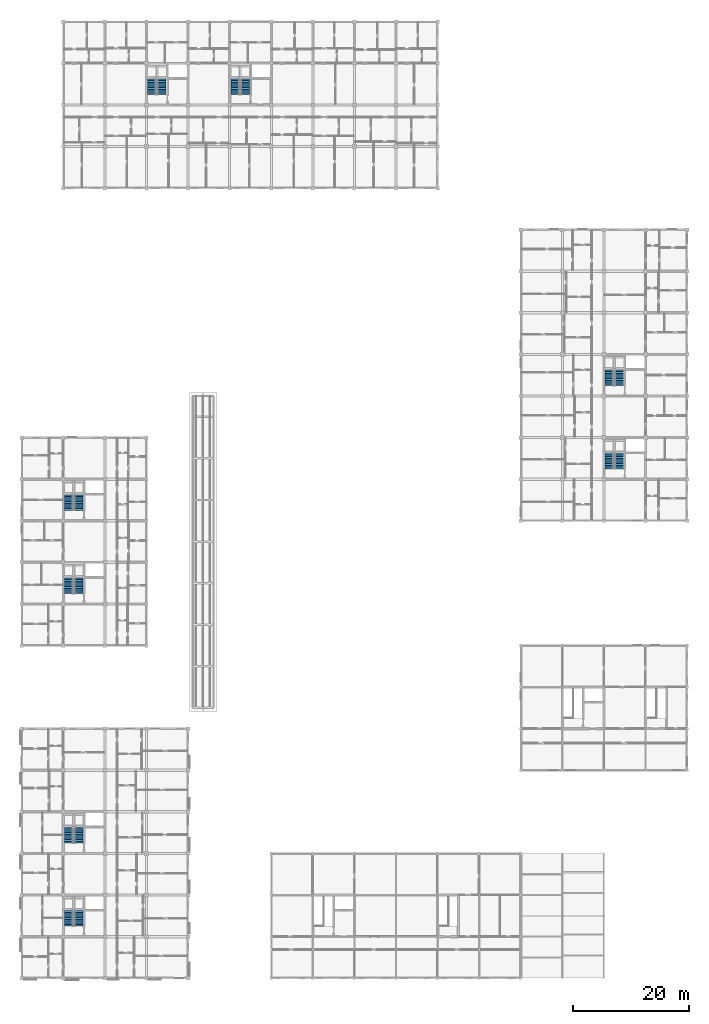
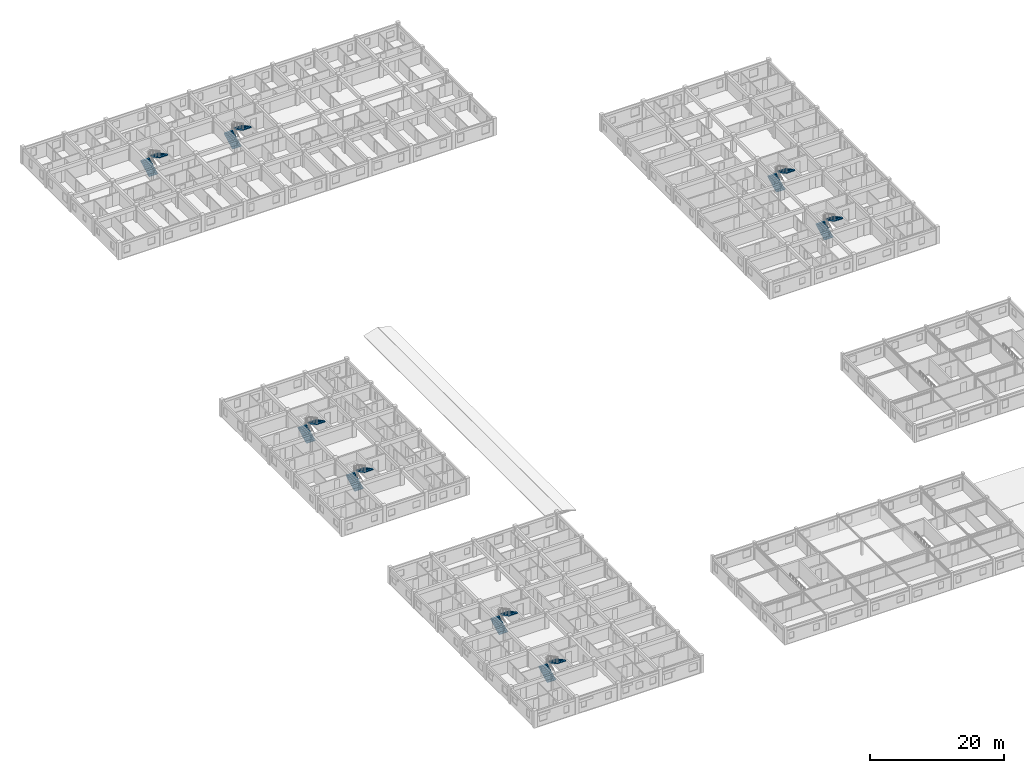
# One storey, part 42 of 50: 16 stair flights, 8 elements without a shape of their own.
"""IFC4 building model written with IfcOpenShell, lengths in metres."""

import ifcopenshell
import ifcopenshell.guid

model = None  # the IFC model being written
_history = None  # IfcOwnerHistory: only IFC2X3 demands one
_inside = {}  # id of a spatial element -> (the spatial element, [elements in it])
_under = {}  # id of a project, library or spatial element -> (it, [spatial elements below it])
_declared = {}  # id of a project -> (the project, [libraries it declares])
_typed = {}  # id of a type object -> (the type object, [elements of that type])
_made_of = {}  # id of a material, layer set ... -> (it, [elements and type objects made of it])


def new_model(schema):
    """Start an empty IFC model of exactly this schema.

    Asked for "IFC4X3", IfcOpenShell would pick the latest addendum, in which some entities
    have other attributes; the version numbers below select the first issue.
    IFC2X3 requires an IfcOwnerHistory on every rooted entity: one is made here for all.
    """
    global model, _history
    if schema == "IFC4X3":
        model = ifcopenshell.file(schema_version=(4, 3, 0, 0))
    else:
        model = ifcopenshell.file(schema=schema)
    _inside.clear()
    _under.clear()
    _declared.clear()
    _typed.clear()
    _made_of.clear()
    _history = None
    if model.schema == "IFC2X3":
        org = make("IfcOrganization", Name="unknown")
        user = make(
            "IfcPersonAndOrganization",
            ThePerson=make("IfcPerson", FamilyName="unknown"),
            TheOrganization=org,
        )
        app = make(
            "IfcApplication",
            ApplicationDeveloper=org,
            Version="unknown",
            ApplicationFullName="unknown",
            ApplicationIdentifier="unknown",
        )
        _history = make(
            "IfcOwnerHistory",
            OwningUser=user,
            OwningApplication=app,
            ChangeAction="ADDED",
            CreationDate=0,
        )
    return model


def make(cls, **values):
    """One entity of the class cls with the attributes given. An attribute that is None is left unset."""
    return model.create_entity(
        cls, **{name: value for name, value in values.items() if value is not None}
    )


def rooted(cls, **values):
    """An entity with a GlobalId (a new one), such as an element, a storey or a relation."""
    return make(cls, GlobalId=ifcopenshell.guid.new(), OwnerHistory=_history, **values)


def si_unit(unit_type, name, prefix=None):
    """IfcSIUnit, for example si_unit("LENGTHUNIT", "METRE", prefix="MILLI")."""
    return make("IfcSIUnit", UnitType=unit_type, Prefix=prefix, Name=name)


def assignment(units):
    """IfcUnitAssignment: the units of a project."""
    return None if units is None else make("IfcUnitAssignment", Units=units)


def point(xyz):
    """IfcCartesianPoint."""
    return None if xyz is None else make("IfcCartesianPoint", Coordinates=xyz)


def direction(xyz):
    """IfcDirection."""
    return None if xyz is None else make("IfcDirection", DirectionRatios=xyz)


def frame(location, z_axis=None, x_axis=None):
    """IfcAxis2Placement3D, a coordinate frame: its origin and axes. An axis left out is left unset."""
    return make(
        "IfcAxis2Placement3D",
        Location=point(location),
        Axis=direction(z_axis),
        RefDirection=direction(x_axis),
    )


def origin():
    """The frame at (0, 0, 0) with its axes left unset."""
    return frame((0.0, 0.0, 0.0))


def place(relative_to, where):
    """IfcLocalPlacement: puts the frame where relative to a parent placement (None: the world)."""
    return make(
        "IfcLocalPlacement", PlacementRelTo=relative_to, RelativePlacement=where
    )


def context(
    kind, dimensions, precision=None, world=None, true_north=None, identifier=None
):
    """IfcGeometricRepresentationContext, for example the 3D "Model" context."""
    return make(
        "IfcGeometricRepresentationContext",
        ContextIdentifier=identifier,
        ContextType=kind,
        CoordinateSpaceDimension=dimensions,
        Precision=precision,
        WorldCoordinateSystem=world,
        TrueNorth=true_north,
    )


def subcontext(parent, identifier, kind, view, scale=None):
    """IfcGeometricRepresentationSubContext, for example "Body" below "Model"."""
    return make(
        "IfcGeometricRepresentationSubContext",
        ContextIdentifier=identifier,
        ContextType=kind,
        ParentContext=parent,
        TargetScale=scale,
        TargetView=view,
    )


def project(units=None, contexts=None):
    """IfcProject with its units and contexts."""
    return rooted(
        "IfcProject",
        Name="project",
        RepresentationContexts=contexts,
        UnitsInContext=assignment(units),
    )


def spatial(cls, under=None, at=None, **own):
    """A site, building, storey or space (cls), placed at a placement, below another one or the project."""
    s = rooted(cls, ObjectPlacement=at, **own)
    if under is not None:
        _under.setdefault(under.id(), (under, []))[1].append(s)
    return s


def polyline(points):
    """IfcPolyline through the points."""
    return make("IfcPolyline", Points=[point(p) for p in points])


def outline(outer, holes=None, kind="AREA"):
    """IfcArbitraryClosedProfileDef: a profile drawn as a closed curve; with holes, ...WithVoids."""
    if holes is None:
        return make("IfcArbitraryClosedProfileDef", ProfileType=kind, OuterCurve=outer)
    return make(
        "IfcArbitraryProfileDefWithVoids",
        ProfileType=kind,
        OuterCurve=outer,
        InnerCurves=holes,
    )


def extrude(swept, where, along, depth):
    """IfcExtrudedAreaSolid: the profile swept, set in the frame where, extruded along a direction by depth."""
    return make(
        "IfcExtrudedAreaSolid",
        SweptArea=swept,
        Position=where,
        ExtrudedDirection=direction(along),
        Depth=depth,
    )


def shape(context_of_items, identifier, shape_type, items):
    """IfcShapeRepresentation: the items that make up one representation, for example the "Body"."""
    return make(
        "IfcShapeRepresentation",
        ContextOfItems=context_of_items,
        RepresentationIdentifier=identifier,
        RepresentationType=shape_type,
        Items=items,
    )


def material(Name=None, Category=None):
    """IfcMaterial."""
    return make("IfcMaterial", Name=Name, Category=Category)


def made_of(thing, what):
    """Note that an element or type object is made of a material, layer set ...; save() writes the relation."""
    if what is not None:
        _made_of.setdefault(what.id(), (what, []))[1].append(thing)
    return thing


def type_object(cls, material=None, **own):
    """A type object (cls), such as IfcWallType, which elements share."""
    return made_of(rooted(cls, **own), material)


def element(
    cls,
    number,
    at=None,
    inside=None,
    cuts=None,
    type_object=None,
    material=None,
    context=None,
    identifier="Body",
    shape_type=None,
    held_by="IfcProductDefinitionShape",
    body=None,
    shapes=None,
    **own,
):
    """One element of the class cls, such as IfcWall. Its Tag is "e" and its number.

    at: its placement. inside: the storey or other place that contains it. cuts: it is an
    opening in that element (IfcRelVoidsElement). A single representation is given by context,
    identifier, shape_type and body (its items); several are given by shapes. held_by: the class
    of the entity that holds the representations. save() writes the other relations.
    """
    e = rooted(cls, Tag="e%d" % number, ObjectPlacement=at, **own)
    if body is not None:
        shapes = [shape(context, identifier, shape_type, body)]
    if shapes is not None:
        e.Representation = make(held_by, Representations=shapes)
    if inside is not None:
        _inside.setdefault(inside.id(), (inside, []))[1].append(e)
    if cuts is not None:
        rooted(
            "IfcRelVoidsElement", RelatingBuildingElement=cuts, RelatedOpeningElement=e
        )
    if type_object is not None:
        _typed.setdefault(type_object.id(), (type_object, []))[1].append(e)
    return made_of(e, material)


def aggregate(whole, parts):
    """IfcRelAggregates: a whole, such as a stair, and the parts it consists of."""
    return rooted("IfcRelAggregates", RelatingObject=whole, RelatedObjects=parts)


def save(model, path):
    """Write the relations noted so far, then the file.

    IfcRelAggregates (storeys below a building ...), IfcRelContainedInSpatialStructure (elements
    in a storey), IfcRelDefinesByType, IfcRelAssociatesMaterial and IfcRelDeclares: one each for
    every whole, place, type object, material and project.
    """
    for whole, parts in _under.values():
        aggregate(whole, parts)
    for where, things in _inside.values():
        rooted(
            "IfcRelContainedInSpatialStructure",
            RelatedElements=things,
            RelatingStructure=where,
        )
    for kind, things in _typed.values():
        rooted("IfcRelDefinesByType", RelatedObjects=things, RelatingType=kind)
    for what, things in _made_of.values():
        rooted("IfcRelAssociatesMaterial", RelatedObjects=things, RelatingMaterial=what)
    for by, libraries in _declared.values():
        rooted("IfcRelDeclares", RelatingContext=by, RelatedDefinitions=libraries)
    model.write(path)


model = new_model("IFC4")

# Units and contexts
model_context = context("Model", 3, precision=1e-05, world=origin(), true_north=direction((0.0, 1.0)))
body_context = subcontext(model_context, "Body", "Model", "MODEL_VIEW")
ifc_project = project(units=[si_unit("LENGTHUNIT", "METRE"), si_unit("AREAUNIT", "SQUARE_METRE"), si_unit("VOLUMEUNIT", "CUBIC_METRE"), si_unit("PLANEANGLEUNIT", "RADIAN"), si_unit("MASSUNIT", "GRAM", prefix="KILO"), si_unit("THERMODYNAMICTEMPERATUREUNIT", "KELVIN"), si_unit("POWERUNIT", "WATT")], contexts=[model_context])

# Site, building, storey
site_placement = place(None, origin())
site = spatial("IfcSite", under=ifc_project, at=site_placement, CompositionType="ELEMENT")
building_placement = place(site_placement, origin())
building = spatial("IfcBuilding", under=site, at=building_placement, Name="Tavuni Mirador Residences", CompositionType="ELEMENT")
storey_placement = place(building_placement, frame((0.0, 0.0, 4.5)))
storey = spatial("IfcBuildingStorey", under=building, at=storey_placement, Name="L01", CompositionType="ELEMENT", Elevation=4.5)

# Stair, stair flights
ifc_material = material(Name="Precast concrete C40/50", Category="concrete")
stair_type = type_object("IfcStairType", Name="STT-TYP", PredefinedType="HALF_TURN_STAIR", material=ifc_material)
stair_1_placement = place(storey_placement, origin())
stair_1 = element("IfcStair", 1, at=stair_1_placement, inside=storey, type_object=stair_type, Name="Protected exit stair ST1 (L01)", PredefinedType="HALF_TURN_STAIR")
stair_flight_type = type_object("IfcStairFlightType", Name="SFT-1500", PredefinedType="STRAIGHT", material=ifc_material)
stair_flight_1_placement = place(storey_placement, frame((11.75, 16.199951171875, 0.0), z_axis=(0.0, 0.0, 1.0), x_axis=(0.0, 1.0, 0.0)))
stair_flight_1 = element("IfcStairFlight", 2, at=stair_flight_1_placement, type_object=stair_flight_type, Name="ST1 flight 1", NumberOfRisers=10, NumberOfTreads=9, PredefinedType="STRAIGHT", RiserHeight=0.1575, TreadLength=0.3, context=body_context, shape_type="SweptSolid", body=[
    extrude(outline(polyline([(0.0, 0.0), (0.0, 0.157470703125), (0.300048828125, 0.157470703125), (0.300048828125, 0.31494140625), (0.60009765625, 0.31494140625), (0.60009765625, 0.472412109375), (0.89990234375, 0.472412109375), (0.89990234375, 0.6298828125), (1.199951171875, 0.6298828125), (1.199951171875, 0.78759765625), (1.5, 0.78759765625), (1.5, 0.945068359375), (1.800048828125, 0.945068359375), (1.800048828125, 1.1025390625), (2.10009765625, 1.1025390625), (2.10009765625, 1.260009765625), (2.39990234375, 1.260009765625), (2.39990234375, 1.41748046875), (2.699951171875, 1.41748046875), (2.699951171875, 1.574951171875), (2.699951171875, 1.23681640625), (0.343994140625, 0.0), (0.0, 0.0)])), frame((0.0, 0.75, 0.0), z_axis=(0.0, -1.0, 0.0), x_axis=(1.0, 0.0, 0.0)), (0.0, 0.0, 1.0), 1.5),
])
stair_flight_2_placement = place(storey_placement, frame((13.449951171875, 18.89990234375, 1.574951171875), z_axis=(0.0, 0.0, 1.0), x_axis=(0.0, -1.0, 0.0)))
stair_flight_2 = element("IfcStairFlight", 3, at=stair_flight_2_placement, type_object=stair_flight_type, Name="ST1 flight 2", NumberOfRisers=10, NumberOfTreads=9, PredefinedType="STRAIGHT", RiserHeight=0.1575, TreadLength=0.3, context=body_context, shape_type="SweptSolid", body=[
    extrude(outline(polyline([(0.0, 0.0), (0.0, 0.157470703125), (0.300048828125, 0.157470703125), (0.300048828125, 0.31494140625), (0.60009765625, 0.31494140625), (0.60009765625, 0.472412109375), (0.89990234375, 0.472412109375), (0.89990234375, 0.6298828125), (1.199951171875, 0.6298828125), (1.199951171875, 0.78759765625), (1.5, 0.78759765625), (1.5, 0.945068359375), (1.800048828125, 0.945068359375), (1.800048828125, 1.1025390625), (2.10009765625, 1.1025390625), (2.10009765625, 1.260009765625), (2.39990234375, 1.260009765625), (2.39990234375, 1.41748046875), (2.699951171875, 1.41748046875), (2.699951171875, 1.574951171875), (2.699951171875, 1.23681640625), (0.343994140625, 0.0), (0.0, 0.0)])), frame((0.0, 0.75, 0.0), z_axis=(0.0, -1.0, 0.0), x_axis=(1.0, 0.0, 0.0)), (0.0, 0.0, 1.0), 1.5),
])
aggregate(stair_1, [stair_flight_1, stair_flight_2])

stair_2_placement = place(storey_placement, origin())
stair_2 = element("IfcStair", 4, at=stair_2_placement, inside=storey, type_object=stair_type, Name="Protected exit stair ST2 (L01)", PredefinedType="HALF_TURN_STAIR")
stair_flight_3_placement = place(storey_placement, frame((11.75, 30.60009765625, 0.0), z_axis=(0.0, 0.0, 1.0), x_axis=(0.0, 1.0, 0.0)))
stair_flight_3 = element("IfcStairFlight", 5, at=stair_flight_3_placement, type_object=stair_flight_type, Name="ST2 flight 1", NumberOfRisers=10, NumberOfTreads=9, PredefinedType="STRAIGHT", RiserHeight=0.1575, TreadLength=0.3, context=body_context, shape_type="SweptSolid", body=[
    extrude(outline(polyline([(0.0, 0.0), (0.0, 0.157470703125), (0.300048828125, 0.157470703125), (0.300048828125, 0.31494140625), (0.60009765625, 0.31494140625), (0.60009765625, 0.472412109375), (0.89990234375, 0.472412109375), (0.89990234375, 0.6298828125), (1.199951171875, 0.6298828125), (1.199951171875, 0.78759765625), (1.5, 0.78759765625), (1.5, 0.945068359375), (1.800048828125, 0.945068359375), (1.800048828125, 1.1025390625), (2.10009765625, 1.1025390625), (2.10009765625, 1.260009765625), (2.39990234375, 1.260009765625), (2.39990234375, 1.41748046875), (2.699951171875, 1.41748046875), (2.699951171875, 1.574951171875), (2.699951171875, 1.23681640625), (0.343994140625, 0.0), (0.0, 0.0)])), frame((0.0, 0.75, 0.0), z_axis=(0.0, -1.0, 0.0), x_axis=(1.0, 0.0, 0.0)), (0.0, 0.0, 1.0), 1.5),
])
stair_flight_4_placement = place(storey_placement, frame((13.449951171875, 33.300048828125, 1.574951171875), z_axis=(0.0, 0.0, 1.0), x_axis=(0.0, -1.0, 0.0)))
stair_flight_4 = element("IfcStairFlight", 6, at=stair_flight_4_placement, type_object=stair_flight_type, Name="ST2 flight 2", NumberOfRisers=10, NumberOfTreads=9, PredefinedType="STRAIGHT", RiserHeight=0.1575, TreadLength=0.3, context=body_context, shape_type="SweptSolid", body=[
    extrude(outline(polyline([(0.0, 0.0), (0.0, 0.157470703125), (0.300048828125, 0.157470703125), (0.300048828125, 0.31494140625), (0.60009765625, 0.31494140625), (0.60009765625, 0.472412109375), (0.89990234375, 0.472412109375), (0.89990234375, 0.6298828125), (1.199951171875, 0.6298828125), (1.199951171875, 0.78759765625), (1.5, 0.78759765625), (1.5, 0.945068359375), (1.800048828125, 0.945068359375), (1.800048828125, 1.1025390625), (2.10009765625, 1.1025390625), (2.10009765625, 1.260009765625), (2.39990234375, 1.260009765625), (2.39990234375, 1.41748046875), (2.699951171875, 1.41748046875), (2.699951171875, 1.574951171875), (2.699951171875, 1.23681640625), (0.343994140625, 0.0), (0.0, 0.0)])), frame((0.0, 0.75, 0.0), z_axis=(0.0, -1.0, 0.0), x_axis=(1.0, 0.0, 0.0)), (0.0, 0.0, 1.0), 1.5),
])
aggregate(stair_2, [stair_flight_3, stair_flight_4])

stair_3_placement = place(storey_placement, origin())
stair_3 = element("IfcStair", 7, at=stair_3_placement, inside=storey, type_object=stair_type, Name="Protected exit stair ST3 (L01)", PredefinedType="HALF_TURN_STAIR")
stair_flight_5_placement = place(storey_placement, frame((11.75, 73.800048828125, 0.0), z_axis=(0.0, 0.0, 1.0), x_axis=(0.0, 1.0, 0.0)))
stair_flight_5 = element("IfcStairFlight", 8, at=stair_flight_5_placement, type_object=stair_flight_type, Name="ST3 flight 1", NumberOfRisers=10, NumberOfTreads=9, PredefinedType="STRAIGHT", RiserHeight=0.1575, TreadLength=0.3, context=body_context, shape_type="SweptSolid", body=[
    extrude(outline(polyline([(0.0, 0.0), (0.0, 0.157470703125), (0.300048828125, 0.157470703125), (0.300048828125, 0.31494140625), (0.60009765625, 0.31494140625), (0.60009765625, 0.472412109375), (0.89990234375, 0.472412109375), (0.89990234375, 0.6298828125), (1.199951171875, 0.6298828125), (1.199951171875, 0.78759765625), (1.5, 0.78759765625), (1.5, 0.945068359375), (1.800048828125, 0.945068359375), (1.800048828125, 1.1025390625), (2.10009765625, 1.1025390625), (2.10009765625, 1.260009765625), (2.39990234375, 1.260009765625), (2.39990234375, 1.41748046875), (2.699951171875, 1.41748046875), (2.699951171875, 1.574951171875), (2.699951171875, 1.23681640625), (0.343994140625, 0.0), (0.0, 0.0)])), frame((0.0, 0.75, 0.0), z_axis=(0.0, -1.0, 0.0), x_axis=(1.0, 0.0, 0.0)), (0.0, 0.0, 1.0), 1.5),
])
stair_flight_6_placement = place(storey_placement, frame((13.449951171875, 76.5, 1.574951171875), z_axis=(0.0, 0.0, 1.0), x_axis=(0.0, -1.0, 0.0)))
stair_flight_6 = element("IfcStairFlight", 9, at=stair_flight_6_placement, type_object=stair_flight_type, Name="ST3 flight 2", NumberOfRisers=10, NumberOfTreads=9, PredefinedType="STRAIGHT", RiserHeight=0.1575, TreadLength=0.3, context=body_context, shape_type="SweptSolid", body=[
    extrude(outline(polyline([(0.0, 0.0), (0.0, 0.157470703125), (0.300048828125, 0.157470703125), (0.300048828125, 0.31494140625), (0.60009765625, 0.31494140625), (0.60009765625, 0.472412109375), (0.89990234375, 0.472412109375), (0.89990234375, 0.6298828125), (1.199951171875, 0.6298828125), (1.199951171875, 0.78759765625), (1.5, 0.78759765625), (1.5, 0.945068359375), (1.800048828125, 0.945068359375), (1.800048828125, 1.1025390625), (2.10009765625, 1.1025390625), (2.10009765625, 1.260009765625), (2.39990234375, 1.260009765625), (2.39990234375, 1.41748046875), (2.699951171875, 1.41748046875), (2.699951171875, 1.574951171875), (2.699951171875, 1.23681640625), (0.343994140625, 0.0), (0.0, 0.0)])), frame((0.0, 0.75, 0.0), z_axis=(0.0, -1.0, 0.0), x_axis=(1.0, 0.0, 0.0)), (0.0, 0.0, 1.0), 1.5),
])
aggregate(stair_3, [stair_flight_5, stair_flight_6])

stair_4_placement = place(storey_placement, origin())
stair_4 = element("IfcStair", 10, at=stair_4_placement, inside=storey, type_object=stair_type, Name="Protected exit stair ST4 (L01)", PredefinedType="HALF_TURN_STAIR")
stair_flight_7_placement = place(storey_placement, frame((11.75, 88.199951171875, 0.0), z_axis=(0.0, 0.0, 1.0), x_axis=(0.0, 1.0, 0.0)))
stair_flight_7 = element("IfcStairFlight", 11, at=stair_flight_7_placement, type_object=stair_flight_type, Name="ST4 flight 1", NumberOfRisers=10, NumberOfTreads=9, PredefinedType="STRAIGHT", RiserHeight=0.1575, TreadLength=0.3, context=body_context, shape_type="SweptSolid", body=[
    extrude(outline(polyline([(0.0, 0.0), (0.0, 0.157470703125), (0.300048828125, 0.157470703125), (0.300048828125, 0.31494140625), (0.60009765625, 0.31494140625), (0.60009765625, 0.472412109375), (0.89990234375, 0.472412109375), (0.89990234375, 0.6298828125), (1.199951171875, 0.6298828125), (1.199951171875, 0.78759765625), (1.5, 0.78759765625), (1.5, 0.945068359375), (1.800048828125, 0.945068359375), (1.800048828125, 1.1025390625), (2.10009765625, 1.1025390625), (2.10009765625, 1.260009765625), (2.39990234375, 1.260009765625), (2.39990234375, 1.41748046875), (2.699951171875, 1.41748046875), (2.699951171875, 1.574951171875), (2.699951171875, 1.23681640625), (0.343994140625, 0.0), (0.0, 0.0)])), frame((0.0, 0.75, 0.0), z_axis=(0.0, -1.0, 0.0), x_axis=(1.0, 0.0, 0.0)), (0.0, 0.0, 1.0), 1.5),
])
stair_flight_8_placement = place(storey_placement, frame((13.449951171875, 90.89990234375, 1.574951171875), z_axis=(0.0, 0.0, 1.0), x_axis=(0.0, -1.0, 0.0)))
stair_flight_8 = element("IfcStairFlight", 12, at=stair_flight_8_placement, type_object=stair_flight_type, Name="ST4 flight 2", NumberOfRisers=10, NumberOfTreads=9, PredefinedType="STRAIGHT", RiserHeight=0.1575, TreadLength=0.3, context=body_context, shape_type="SweptSolid", body=[
    extrude(outline(polyline([(0.0, 0.0), (0.0, 0.157470703125), (0.300048828125, 0.157470703125), (0.300048828125, 0.31494140625), (0.60009765625, 0.31494140625), (0.60009765625, 0.472412109375), (0.89990234375, 0.472412109375), (0.89990234375, 0.6298828125), (1.199951171875, 0.6298828125), (1.199951171875, 0.78759765625), (1.5, 0.78759765625), (1.5, 0.945068359375), (1.800048828125, 0.945068359375), (1.800048828125, 1.1025390625), (2.10009765625, 1.1025390625), (2.10009765625, 1.260009765625), (2.39990234375, 1.260009765625), (2.39990234375, 1.41748046875), (2.699951171875, 1.41748046875), (2.699951171875, 1.574951171875), (2.699951171875, 1.23681640625), (0.343994140625, 0.0), (0.0, 0.0)])), frame((0.0, 0.75, 0.0), z_axis=(0.0, -1.0, 0.0), x_axis=(1.0, 0.0, 0.0)), (0.0, 0.0, 1.0), 1.5),
])
aggregate(stair_4, [stair_flight_7, stair_flight_8])

stair_5_placement = place(storey_placement, origin())
stair_5 = element("IfcStair", 13, at=stair_5_placement, inside=storey, type_object=stair_type, Name="Protected exit stair ST5 (L01)", PredefinedType="HALF_TURN_STAIR")
stair_flight_9_placement = place(storey_placement, frame((26.14990234375, 160.199951171875, 0.0), z_axis=(0.0, 0.0, 1.0), x_axis=(0.0, 1.0, 0.0)))
stair_flight_9 = element("IfcStairFlight", 14, at=stair_flight_9_placement, type_object=stair_flight_type, Name="ST5 flight 1", NumberOfRisers=10, NumberOfTreads=9, PredefinedType="STRAIGHT", RiserHeight=0.1575, TreadLength=0.3, context=body_context, shape_type="SweptSolid", body=[
    extrude(outline(polyline([(0.0, 0.0), (0.0, 0.157470703125), (0.300048828125, 0.157470703125), (0.300048828125, 0.31494140625), (0.60009765625, 0.31494140625), (0.60009765625, 0.472412109375), (0.89990234375, 0.472412109375), (0.89990234375, 0.6298828125), (1.199951171875, 0.6298828125), (1.199951171875, 0.78759765625), (1.5, 0.78759765625), (1.5, 0.945068359375), (1.800048828125, 0.945068359375), (1.800048828125, 1.1025390625), (2.10009765625, 1.1025390625), (2.10009765625, 1.260009765625), (2.39990234375, 1.260009765625), (2.39990234375, 1.41748046875), (2.699951171875, 1.41748046875), (2.699951171875, 1.574951171875), (2.699951171875, 1.23681640625), (0.343994140625, 0.0), (0.0, 0.0)])), frame((0.0, 0.75, 0.0), z_axis=(0.0, -1.0, 0.0), x_axis=(1.0, 0.0, 0.0)), (0.0, 0.0, 1.0), 1.5),
])
stair_flight_10_placement = place(storey_placement, frame((27.85009765625, 162.89990234375, 1.574951171875), z_axis=(0.0, 0.0, 1.0), x_axis=(0.0, -1.0, 0.0)))
stair_flight_10 = element("IfcStairFlight", 15, at=stair_flight_10_placement, type_object=stair_flight_type, Name="ST5 flight 2", NumberOfRisers=10, NumberOfTreads=9, PredefinedType="STRAIGHT", RiserHeight=0.1575, TreadLength=0.3, context=body_context, shape_type="SweptSolid", body=[
    extrude(outline(polyline([(0.0, 0.0), (0.0, 0.157470703125), (0.300048828125, 0.157470703125), (0.300048828125, 0.31494140625), (0.60009765625, 0.31494140625), (0.60009765625, 0.472412109375), (0.89990234375, 0.472412109375), (0.89990234375, 0.6298828125), (1.199951171875, 0.6298828125), (1.199951171875, 0.78759765625), (1.5, 0.78759765625), (1.5, 0.945068359375), (1.800048828125, 0.945068359375), (1.800048828125, 1.1025390625), (2.10009765625, 1.1025390625), (2.10009765625, 1.260009765625), (2.39990234375, 1.260009765625), (2.39990234375, 1.41748046875), (2.699951171875, 1.41748046875), (2.699951171875, 1.574951171875), (2.699951171875, 1.23681640625), (0.343994140625, 0.0), (0.0, 0.0)])), frame((0.0, 0.75, 0.0), z_axis=(0.0, -1.0, 0.0), x_axis=(1.0, 0.0, 0.0)), (0.0, 0.0, 1.0), 1.5),
])
aggregate(stair_5, [stair_flight_9, stair_flight_10])

stair_6_placement = place(storey_placement, origin())
stair_6 = element("IfcStair", 16, at=stair_6_placement, inside=storey, type_object=stair_type, Name="Protected exit stair ST6 (L01)", PredefinedType="HALF_TURN_STAIR")
stair_flight_11_placement = place(storey_placement, frame((40.550048828125, 160.199951171875, 0.0), z_axis=(0.0, 0.0, 1.0), x_axis=(0.0, 1.0, 0.0)))
stair_flight_11 = element("IfcStairFlight", 17, at=stair_flight_11_placement, type_object=stair_flight_type, Name="ST6 flight 1", NumberOfRisers=10, NumberOfTreads=9, PredefinedType="STRAIGHT", RiserHeight=0.1575, TreadLength=0.3, context=body_context, shape_type="SweptSolid", body=[
    extrude(outline(polyline([(0.0, 0.0), (0.0, 0.157470703125), (0.300048828125, 0.157470703125), (0.300048828125, 0.31494140625), (0.60009765625, 0.31494140625), (0.60009765625, 0.472412109375), (0.89990234375, 0.472412109375), (0.89990234375, 0.6298828125), (1.199951171875, 0.6298828125), (1.199951171875, 0.78759765625), (1.5, 0.78759765625), (1.5, 0.945068359375), (1.800048828125, 0.945068359375), (1.800048828125, 1.1025390625), (2.10009765625, 1.1025390625), (2.10009765625, 1.260009765625), (2.39990234375, 1.260009765625), (2.39990234375, 1.41748046875), (2.699951171875, 1.41748046875), (2.699951171875, 1.574951171875), (2.699951171875, 1.23681640625), (0.343994140625, 0.0), (0.0, 0.0)])), frame((0.0, 0.75, 0.0), z_axis=(0.0, -1.0, 0.0), x_axis=(1.0, 0.0, 0.0)), (0.0, 0.0, 1.0), 1.5),
])
stair_flight_12_placement = place(storey_placement, frame((42.25, 162.89990234375, 1.574951171875), z_axis=(0.0, 0.0, 1.0), x_axis=(0.0, -1.0, 0.0)))
stair_flight_12 = element("IfcStairFlight", 18, at=stair_flight_12_placement, type_object=stair_flight_type, Name="ST6 flight 2", NumberOfRisers=10, NumberOfTreads=9, PredefinedType="STRAIGHT", RiserHeight=0.1575, TreadLength=0.3, context=body_context, shape_type="SweptSolid", body=[
    extrude(outline(polyline([(0.0, 0.0), (0.0, 0.157470703125), (0.300048828125, 0.157470703125), (0.300048828125, 0.31494140625), (0.60009765625, 0.31494140625), (0.60009765625, 0.472412109375), (0.89990234375, 0.472412109375), (0.89990234375, 0.6298828125), (1.199951171875, 0.6298828125), (1.199951171875, 0.78759765625), (1.5, 0.78759765625), (1.5, 0.945068359375), (1.800048828125, 0.945068359375), (1.800048828125, 1.1025390625), (2.10009765625, 1.1025390625), (2.10009765625, 1.260009765625), (2.39990234375, 1.260009765625), (2.39990234375, 1.41748046875), (2.699951171875, 1.41748046875), (2.699951171875, 1.574951171875), (2.699951171875, 1.23681640625), (0.343994140625, 0.0), (0.0, 0.0)])), frame((0.0, 0.75, 0.0), z_axis=(0.0, -1.0, 0.0), x_axis=(1.0, 0.0, 0.0)), (0.0, 0.0, 1.0), 1.5),
])
aggregate(stair_6, [stair_flight_11, stair_flight_12])

stair_7_placement = place(storey_placement, origin())
stair_7 = element("IfcStair", 19, at=stair_7_placement, inside=storey, type_object=stair_type, Name="Protected exit stair ST7 (L01)", PredefinedType="HALF_TURN_STAIR")
stair_flight_13_placement = place(storey_placement, frame((105.35009765625, 95.39990234375, 0.0), z_axis=(0.0, 0.0, 1.0), x_axis=(0.0, 1.0, 0.0)))
stair_flight_13 = element("IfcStairFlight", 20, at=stair_flight_13_placement, type_object=stair_flight_type, Name="ST7 flight 1", NumberOfRisers=10, NumberOfTreads=9, PredefinedType="STRAIGHT", RiserHeight=0.1575, TreadLength=0.3, context=body_context, shape_type="SweptSolid", body=[
    extrude(outline(polyline([(0.0, 0.0), (0.0, 0.157470703125), (0.300048828125, 0.157470703125), (0.300048828125, 0.31494140625), (0.60009765625, 0.31494140625), (0.60009765625, 0.472412109375), (0.89990234375, 0.472412109375), (0.89990234375, 0.6298828125), (1.199951171875, 0.6298828125), (1.199951171875, 0.78759765625), (1.5, 0.78759765625), (1.5, 0.945068359375), (1.800048828125, 0.945068359375), (1.800048828125, 1.1025390625), (2.10009765625, 1.1025390625), (2.10009765625, 1.260009765625), (2.39990234375, 1.260009765625), (2.39990234375, 1.41748046875), (2.699951171875, 1.41748046875), (2.699951171875, 1.574951171875), (2.699951171875, 1.23681640625), (0.343994140625, 0.0), (0.0, 0.0)])), frame((0.0, 0.75, 0.0), z_axis=(0.0, -1.0, 0.0), x_axis=(1.0, 0.0, 0.0)), (0.0, 0.0, 1.0), 1.5),
])
stair_flight_14_placement = place(storey_placement, frame((107.050048828125, 98.10009765625, 1.574951171875), z_axis=(0.0, 0.0, 1.0), x_axis=(0.0, -1.0, 0.0)))
stair_flight_14 = element("IfcStairFlight", 21, at=stair_flight_14_placement, type_object=stair_flight_type, Name="ST7 flight 2", NumberOfRisers=10, NumberOfTreads=9, PredefinedType="STRAIGHT", RiserHeight=0.1575, TreadLength=0.3, context=body_context, shape_type="SweptSolid", body=[
    extrude(outline(polyline([(0.0, 0.0), (0.0, 0.157470703125), (0.300048828125, 0.157470703125), (0.300048828125, 0.31494140625), (0.60009765625, 0.31494140625), (0.60009765625, 0.472412109375), (0.89990234375, 0.472412109375), (0.89990234375, 0.6298828125), (1.199951171875, 0.6298828125), (1.199951171875, 0.78759765625), (1.5, 0.78759765625), (1.5, 0.945068359375), (1.800048828125, 0.945068359375), (1.800048828125, 1.1025390625), (2.10009765625, 1.1025390625), (2.10009765625, 1.260009765625), (2.39990234375, 1.260009765625), (2.39990234375, 1.41748046875), (2.699951171875, 1.41748046875), (2.699951171875, 1.574951171875), (2.699951171875, 1.23681640625), (0.343994140625, 0.0), (0.0, 0.0)])), frame((0.0, 0.75, 0.0), z_axis=(0.0, -1.0, 0.0), x_axis=(1.0, 0.0, 0.0)), (0.0, 0.0, 1.0), 1.5),
])
aggregate(stair_7, [stair_flight_13, stair_flight_14])

stair_8_placement = place(storey_placement, origin())
stair_8 = element("IfcStair", 22, at=stair_8_placement, inside=storey, type_object=stair_type, Name="Protected exit stair ST8 (L01)", PredefinedType="HALF_TURN_STAIR")
stair_flight_15_placement = place(storey_placement, frame((105.35009765625, 109.800048828125, 0.0), z_axis=(0.0, 0.0, 1.0), x_axis=(0.0, 1.0, 0.0)))
stair_flight_15 = element("IfcStairFlight", 23, at=stair_flight_15_placement, type_object=stair_flight_type, Name="ST8 flight 1", NumberOfRisers=10, NumberOfTreads=9, PredefinedType="STRAIGHT", RiserHeight=0.1575, TreadLength=0.3, context=body_context, shape_type="SweptSolid", body=[
    extrude(outline(polyline([(0.0, 0.0), (0.0, 0.157470703125), (0.300048828125, 0.157470703125), (0.300048828125, 0.31494140625), (0.60009765625, 0.31494140625), (0.60009765625, 0.472412109375), (0.89990234375, 0.472412109375), (0.89990234375, 0.6298828125), (1.199951171875, 0.6298828125), (1.199951171875, 0.78759765625), (1.5, 0.78759765625), (1.5, 0.945068359375), (1.800048828125, 0.945068359375), (1.800048828125, 1.1025390625), (2.10009765625, 1.1025390625), (2.10009765625, 1.260009765625), (2.39990234375, 1.260009765625), (2.39990234375, 1.41748046875), (2.699951171875, 1.41748046875), (2.699951171875, 1.574951171875), (2.699951171875, 1.23681640625), (0.343994140625, 0.0), (0.0, 0.0)])), frame((0.0, 0.75, 0.0), z_axis=(0.0, -1.0, 0.0), x_axis=(1.0, 0.0, 0.0)), (0.0, 0.0, 1.0), 1.5),
])
stair_flight_16_placement = place(storey_placement, frame((107.050048828125, 112.5, 1.574951171875), z_axis=(0.0, 0.0, 1.0), x_axis=(0.0, -1.0, 0.0)))
stair_flight_16 = element("IfcStairFlight", 24, at=stair_flight_16_placement, type_object=stair_flight_type, Name="ST8 flight 2", NumberOfRisers=10, NumberOfTreads=9, PredefinedType="STRAIGHT", RiserHeight=0.1575, TreadLength=0.3, context=body_context, shape_type="SweptSolid", body=[
    extrude(outline(polyline([(0.0, 0.0), (0.0, 0.157470703125), (0.300048828125, 0.157470703125), (0.300048828125, 0.31494140625), (0.60009765625, 0.31494140625), (0.60009765625, 0.472412109375), (0.89990234375, 0.472412109375), (0.89990234375, 0.6298828125), (1.199951171875, 0.6298828125), (1.199951171875, 0.78759765625), (1.5, 0.78759765625), (1.5, 0.945068359375), (1.800048828125, 0.945068359375), (1.800048828125, 1.1025390625), (2.10009765625, 1.1025390625), (2.10009765625, 1.260009765625), (2.39990234375, 1.260009765625), (2.39990234375, 1.41748046875), (2.699951171875, 1.41748046875), (2.699951171875, 1.574951171875), (2.699951171875, 1.23681640625), (0.343994140625, 0.0), (0.0, 0.0)])), frame((0.0, 0.75, 0.0), z_axis=(0.0, -1.0, 0.0), x_axis=(1.0, 0.0, 0.0)), (0.0, 0.0, 1.0), 1.5),
])
aggregate(stair_8, [stair_flight_15, stair_flight_16])

save(model, "model.ifc")
